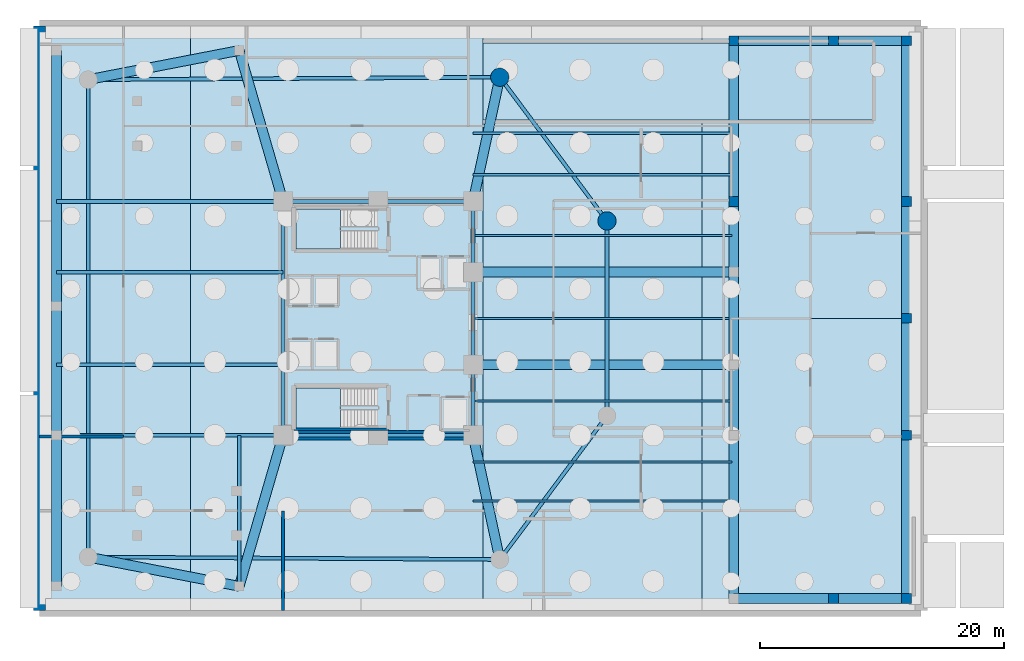
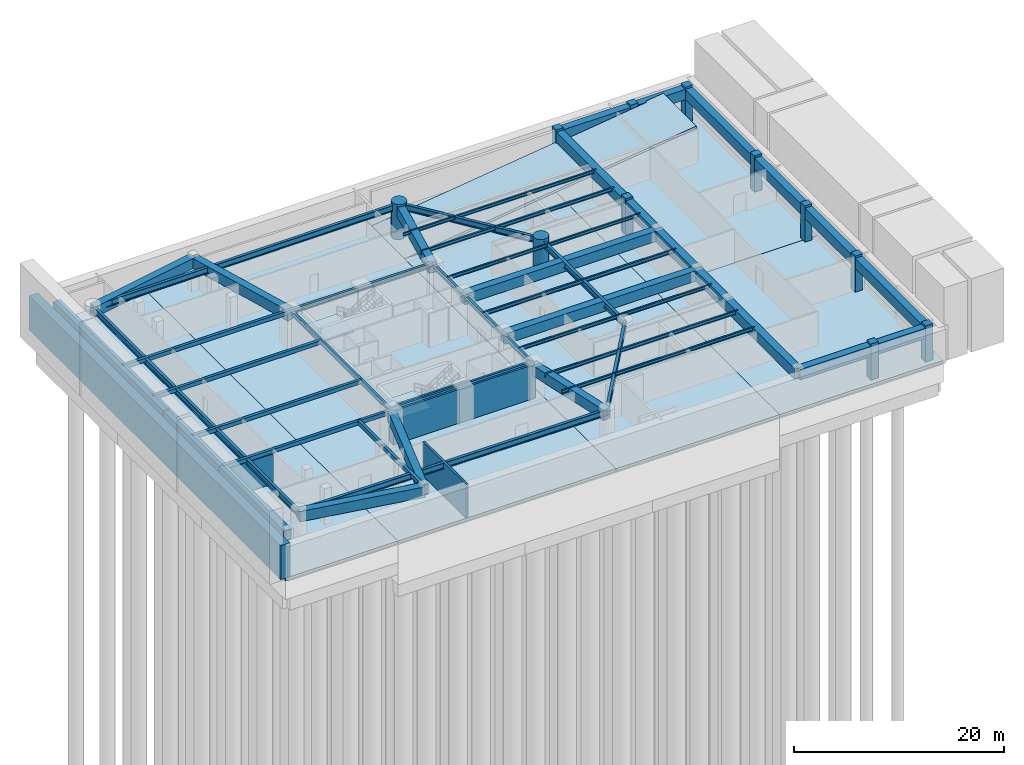
# One storey, part 2 of 8: 41 beams, 11 columns, 8 slabs, 5 walls, 2 elements without a shape of their own.
"""IFC4 building model written with IfcOpenShell, lengths in metres."""

from ifc_helpers import new_model, si_unit, direction, frame, frame_2d, origin, origin_2d, place, context, subcontext, project, spatial, polyline, rectangle, circle, i_section, outline, extrude, material, layer, layer_set, material_profile, profile_set, type_object, element, aggregate, save


model = new_model("IFC4")

# Units and contexts
model_context = context("Model", 3, precision=1e-05, world=origin(), true_north=direction((0.0, 1.0)))
body_context = subcontext(model_context, "Body", "Model", "MODEL_VIEW")
ifc_project = project(units=[si_unit("LENGTHUNIT", "METRE"), si_unit("AREAUNIT", "SQUARE_METRE"), si_unit("VOLUMEUNIT", "CUBIC_METRE"), si_unit("PLANEANGLEUNIT", "RADIAN"), si_unit("MASSUNIT", "GRAM", prefix="KILO")], contexts=[model_context])

# Site, building, storey
site_placement = place(None, origin())
site = spatial("IfcSite", under=ifc_project, at=site_placement, CompositionType="ELEMENT")
building_placement = place(site_placement, origin())
building = spatial("IfcBuilding", under=site, at=building_placement, Name="An Khanh Terracotta Commons", CompositionType="ELEMENT")
storey_placement = place(building_placement, frame((0.0, 0.0, -8.39990234375)))
storey = spatial("IfcBuildingStorey", under=building, at=storey_placement, Name="B02", CompositionType="ELEMENT", Elevation=-8.39990234375)

# Columns
ifc_material_1 = material(Name="Concrete C70/85", Category="concrete")
ifc_material_profile_1 = material_profile(ifc_material_1, circle(Radius=0.75, at=origin_2d()), Name="CFST1500")
ifc_profile_set_1 = profile_set([ifc_material_profile_1], Name="Concrete C70/85")
column_type_1 = type_object("IfcColumnType", Name="COL-CFST1500", PredefinedType="COLUMN", material=ifc_profile_set_1)
for number, where, z_axis, x_axis, name in (
    (1, (48.199951171875, 32.0, 0.0), (0.0, 0.0, 1.0), (1.0, 0.0, 0.0), "B02 Mega-Column MC-04"),
    (2, (39.39990234375, 43.800048828125, 0.0), (0.0, 0.0, 1.0), (1.0, 0.0, 0.0), "B02 Mega-Column MC-05"),
):
    element("IfcColumn", number, at=place(storey_placement, frame(where, z_axis=z_axis, x_axis=x_axis)), inside=storey, type_object=column_type_1, Name=name, PredefinedType="COLUMN", context=body_context, shape_type="SweptSolid", body=[
        extrude(circle(Radius=0.75, at=origin_2d()), origin(), (0.0, 0.0, 1.0), 4.199951171875),
    ])
ifc_material_2 = material(Name="Concrete C60/75", Category="concrete")
ifc_material_profile_2 = material_profile(ifc_material_2, rectangle(XDim=0.800048828125, YDim=0.800048828125, at=origin_2d()), Name="RC800x800")
ifc_profile_set_2 = profile_set([ifc_material_profile_2], Name="Concrete C60/75")
column_type_2 = type_object("IfcColumnType", Name="COL-RC800x800", PredefinedType="COLUMN", material=ifc_profile_set_2)
for number, where, z_axis, x_axis, name in (
    (3, (72.800048828125, 1.0, 0.0), (0.0, 0.0, 1.0), (1.0, 0.0, 0.0), "B02 Podium Column PC-04"),
    (4, (72.800048828125, 14.39990234375, 0.0), (0.0, 0.0, 1.0), (1.0, 0.0, 0.0), "B02 Podium Column PC-05"),
    (5, (72.800048828125, 24.0, 0.0), (0.0, 0.0, 1.0), (1.0, 0.0, 0.0), "B02 Podium Column PC-06"),
    (6, (72.800048828125, 33.60009765625, 0.0), (0.0, 0.0, 1.0), (1.0, 0.0, 0.0), "B02 Podium Column PC-07"),
    (7, (72.800048828125, 46.800048828125, 0.0), (0.0, 0.0, 1.0), (1.0, 0.0, 0.0), "B02 Podium Column PC-08"),
    (8, (58.60009765625, 46.800048828125, 0.0), (0.0, 0.0, 1.0), (1.0, 0.0, 0.0), "B02 Podium Column PC-09"),
    (9, (58.60009765625, 33.60009765625, 0.0), (0.0, 0.0, 1.0), (1.0, 0.0, 0.0), "B02 Podium Column PC-19"),
    (10, (66.800048828125, 1.0, 0.0), (0.0, 0.0, 1.0), (1.0, 0.0, 0.0), "B02 Podium Column PC-15"),
    (11, (66.800048828125, 46.800048828125, 0.0), (0.0, 0.0, 1.0), (1.0, 0.0, 0.0), "B02 Podium Column PC-16"),
):
    element("IfcColumn", number, at=place(storey_placement, frame(where, z_axis=z_axis, x_axis=x_axis)), inside=storey, type_object=column_type_2, Name=name, PredefinedType="COLUMN", context=body_context, shape_type="SweptSolid", body=[
        extrude(rectangle(XDim=0.800048828125, YDim=0.800048828125, at=origin_2d()), origin(), (0.0, 0.0, 1.0), 4.199951171875),
    ])

# Beams
ifc_material_3 = material(Name="Steel S355J2", Category="steel")
ifc_material_profile_3 = material_profile(ifc_material_3, i_section(OverallWidth=0.300048828125, OverallDepth=0.449951171875, WebThickness=0.013916015625, FlangeThickness=0.02587890625, FilletRadius=0.027099609375, at=origin_2d()), Name="HEB450")
ifc_profile_set_3 = profile_set([ifc_material_profile_3], Name="Steel S355J2")
beam_type_1 = type_object("IfcBeamType", Name="BM-HEB450", PredefinedType="BEAM", material=ifc_profile_set_3)
beam_1_placement = place(storey_placement, frame((37.199951171875, 14.39990234375, 3.724853515625), z_axis=(0.0, 1.0, 0.0), x_axis=(-1.0, 0.0, 0.0)))
element("IfcBeam", 12, at=beam_1_placement, inside=storey, type_object=beam_type_1, Name="B02 Core East Coupling Girder 1", PredefinedType="BEAM", context=body_context, shape_type="SweptSolid", body=[
    extrude(i_section(OverallWidth=0.300048828125, OverallDepth=0.449951171875, WebThickness=0.013916015625, FlangeThickness=0.02587890625, FilletRadius=0.027099609375, at=origin_2d()), origin(), (0.0, 0.0, 1.0), 5.800048828125),
])
beam_2_placement = place(storey_placement, frame((37.199951171875, 20.199951171875, 3.724853515625), z_axis=(0.0, 1.0, 0.0), x_axis=(-1.0, 0.0, 0.0)))
element("IfcBeam", 13, at=beam_2_placement, inside=storey, type_object=beam_type_1, Name="B02 Core East Coupling Girder 2", PredefinedType="BEAM", context=body_context, shape_type="SweptSolid", body=[
    extrude(i_section(OverallWidth=0.300048828125, OverallDepth=0.449951171875, WebThickness=0.013916015625, FlangeThickness=0.02587890625, FilletRadius=0.027099609375, at=origin_2d()), origin(), (0.0, 0.0, 1.0), 7.60009765625),
])
beam_3_placement = place(storey_placement, frame((37.199951171875, 27.800048828125, 3.724853515625), z_axis=(0.0, 1.0, 0.0), x_axis=(-1.0, 0.0, 0.0)))
element("IfcBeam", 14, at=beam_3_placement, inside=storey, type_object=beam_type_1, Name="B02 Core East Coupling Girder 3", PredefinedType="BEAM", context=body_context, shape_type="SweptSolid", body=[
    extrude(i_section(OverallWidth=0.300048828125, OverallDepth=0.449951171875, WebThickness=0.013916015625, FlangeThickness=0.02587890625, FilletRadius=0.027099609375, at=origin_2d()), origin(), (0.0, 0.0, 1.0), 5.800048828125),
])
beam_4_placement = place(storey_placement, frame((21.60009765625, 14.39990234375, 3.724853515625), z_axis=(0.0, 1.0, 0.0), x_axis=(-1.0, 0.0, 0.0)))
element("IfcBeam", 15, at=beam_4_placement, inside=storey, type_object=beam_type_1, Name="B02 Core West Coupling Girder", PredefinedType="BEAM", context=body_context, shape_type="SweptSolid", body=[
    extrude(i_section(OverallWidth=0.300048828125, OverallDepth=0.449951171875, WebThickness=0.013916015625, FlangeThickness=0.02587890625, FilletRadius=0.027099609375, at=origin_2d()), origin(), (0.0, 0.0, 1.0), 19.2001953125),
])
ifc_material_profile_4 = material_profile(ifc_material_3, i_section(OverallWidth=0.300048828125, OverallDepth=0.5, WebThickness=0.014404296875, FlangeThickness=0.028076171875, FilletRadius=0.027099609375, at=origin_2d()), Name="HEB500")
ifc_profile_set_4 = profile_set([ifc_material_profile_4], Name="Steel S355J2")
beam_type_2 = type_object("IfcBeamType", Name="BM-HEB500", PredefinedType="BEAM", material=ifc_profile_set_4)
for number, where, z_axis, x_axis, name in (
    (16, (21.60009765625, 14.39990234375, 3.699951171875), (1.0, 0.0, 0.0), (0.0, 1.0, 0.0), "B02 Core South Coupling Girder"),
    (17, (21.60009765625, 33.60009765625, 3.699951171875), (1.0, 0.0, 0.0), (0.0, 1.0, 0.0), "B02 Core North Coupling Girder"),
):
    element("IfcBeam", number, at=place(storey_placement, frame(where, z_axis=z_axis, x_axis=x_axis)), inside=storey, type_object=beam_type_2, Name=name, PredefinedType="BEAM", context=body_context, shape_type="SweptSolid", body=[
        extrude(i_section(OverallWidth=0.300048828125, OverallDepth=0.5, WebThickness=0.014404296875, FlangeThickness=0.028076171875, FilletRadius=0.027099609375, at=origin_2d()), origin(), (0.0, 0.0, 1.0), 15.599853515625),
    ])
ifc_material_profile_5 = material_profile(ifc_material_3, i_section(OverallWidth=0.300048828125, OverallDepth=0.699951171875, WebThickness=0.01708984375, FlangeThickness=0.031982421875, FilletRadius=0.027099609375, at=origin_2d()), Name="HEB700")
ifc_profile_set_5 = profile_set([ifc_material_profile_5], Name="Steel S355J2")
beam_type_3 = type_object("IfcBeamType", Name="BM-HEB700", PredefinedType="BEAM", material=ifc_profile_set_5)
beam_5_placement = place(storey_placement, frame((5.60009765625, 4.39990234375, 3.599853515625), z_axis=(0.999982502414, -0.005915645817, 0.0), x_axis=(0.005915645817, 0.999982502414, 0.0)))
element("IfcBeam", 18, at=beam_5_placement, inside=storey, type_object=beam_type_3, Name="B02 Podium Mega-Ring Girder 1", PredefinedType="BEAM", context=body_context, shape_type="SweptSolid", body=[
    extrude(i_section(OverallWidth=0.300048828125, OverallDepth=0.699951171875, WebThickness=0.01708984375, FlangeThickness=0.031982421875, FilletRadius=0.027099609375, at=origin_2d()), origin(), (0.0, 0.0, 1.0), 33.80029296875),
])
beam_6_placement = place(storey_placement, frame((39.39990234375, 4.199951171875, 3.599853515625), z_axis=(0.59782442166, 0.801627070942, 0.0), x_axis=(-0.801627070942, 0.59782442166, 0.0)))
element("IfcBeam", 19, at=beam_6_placement, inside=storey, type_object=beam_type_3, Name="B02 Podium Mega-Ring Girder 2", PredefinedType="BEAM", context=body_context, shape_type="SweptSolid", body=[
    extrude(i_section(OverallWidth=0.300048828125, OverallDepth=0.699951171875, WebThickness=0.01708984375, FlangeThickness=0.031982421875, FilletRadius=0.027099609375, at=origin_2d()), origin(), (0.0, 0.0, 1.0), 14.72021484375),
])
beam_7_placement = place(storey_placement, frame((48.199951171875, 16.0, 3.599853515625), z_axis=(0.0, 1.0, 0.0), x_axis=(-1.0, 0.0, 0.0)))
element("IfcBeam", 20, at=beam_7_placement, inside=storey, type_object=beam_type_3, Name="B02 Podium Mega-Ring Girder 3", PredefinedType="BEAM", context=body_context, shape_type="SweptSolid", body=[
    extrude(i_section(OverallWidth=0.300048828125, OverallDepth=0.699951171875, WebThickness=0.01708984375, FlangeThickness=0.031982421875, FilletRadius=0.027099609375, at=origin_2d()), origin(), (0.0, 0.0, 1.0), 16.0),
])
beam_8_placement = place(storey_placement, frame((48.199951171875, 32.0, 3.599853515625), z_axis=(-0.59782442166, 0.801627070942, 0.0), x_axis=(-0.801627070942, -0.59782442166, 0.0)))
element("IfcBeam", 21, at=beam_8_placement, inside=storey, type_object=beam_type_3, Name="B02 Podium Mega-Ring Girder 4", PredefinedType="BEAM", context=body_context, shape_type="SweptSolid", body=[
    extrude(i_section(OverallWidth=0.300048828125, OverallDepth=0.699951171875, WebThickness=0.01708984375, FlangeThickness=0.031982421875, FilletRadius=0.027099609375, at=origin_2d()), origin(), (0.0, 0.0, 1.0), 14.72021484375),
])
beam_9_placement = place(storey_placement, frame((39.39990234375, 43.800048828125, 3.599853515625), z_axis=(-0.999982502414, -0.005915645817, 0.0), x_axis=(0.005915645817, -0.999982502414, 0.0)))
element("IfcBeam", 22, at=beam_9_placement, inside=storey, type_object=beam_type_3, Name="B02 Podium Mega-Ring Girder 5", PredefinedType="BEAM", context=body_context, shape_type="SweptSolid", body=[
    extrude(i_section(OverallWidth=0.300048828125, OverallDepth=0.699951171875, WebThickness=0.01708984375, FlangeThickness=0.031982421875, FilletRadius=0.027099609375, at=origin_2d()), origin(), (0.0, 0.0, 1.0), 33.80029296875),
])
beam_10_placement = place(storey_placement, frame((5.60009765625, 43.60009765625, 3.599853515625), z_axis=(0.0, -1.0, 0.0), x_axis=(1.0, 0.0, 0.0)))
element("IfcBeam", 23, at=beam_10_placement, inside=storey, type_object=beam_type_3, Name="B02 Podium Mega-Ring Girder 6", PredefinedType="BEAM", context=body_context, shape_type="SweptSolid", body=[
    extrude(i_section(OverallWidth=0.300048828125, OverallDepth=0.699951171875, WebThickness=0.01708984375, FlangeThickness=0.031982421875, FilletRadius=0.027099609375, at=origin_2d()), origin(), (0.0, 0.0, 1.0), 39.2001953125),
])
ifc_material_profile_6 = material_profile(ifc_material_3, i_section(OverallWidth=0.169921875, OverallDepth=0.360107421875, WebThickness=0.008056640625, FlangeThickness=0.0126953125, FilletRadius=0.01806640625, at=origin_2d()), Name="IPE360")
ifc_profile_set_6 = profile_set([ifc_material_profile_6], Name="Steel S355J2")
beam_type_4 = type_object("IfcBeamType", Name="BM-IPE360", PredefinedType="JOIST", material=ifc_profile_set_6)
for number, where, z_axis, x_axis, name in (
    (24, (37.199951171875, 9.0, 3.77001953125), (1.0, 0.0, 0.0), (0.0, 1.0, 0.0), "B02 East Composite Floor Joist 2"),
    (25, (37.199951171875, 17.199951171875, 3.77001953125), (1.0, 0.0, 0.0), (0.0, 1.0, 0.0), "B02 East Composite Floor Joist 4"),
    (26, (37.199951171875, 30.800048828125, 3.77001953125), (1.0, 0.0, 0.0), (0.0, 1.0, 0.0), "B02 East Composite Floor Joist 6"),
    (27, (37.199951171875, 39.199951171875, 3.77001953125), (1.0, 0.0, 0.0), (0.0, 1.0, 0.0), "B02 East Composite Floor Joist 8"),
):
    element("IfcBeam", number, at=place(storey_placement, frame(where, z_axis=z_axis, x_axis=x_axis)), inside=storey, type_object=beam_type_4, Name=name, PredefinedType="JOIST", context=body_context, shape_type="SweptSolid", body=[
        extrude(i_section(OverallWidth=0.169921875, OverallDepth=0.360107421875, WebThickness=0.008056640625, FlangeThickness=0.0126953125, FilletRadius=0.01806640625, at=origin_2d()), origin(), (0.0, 0.0, 1.0), 21.25),
    ])
ifc_material_profile_7 = material_profile(ifc_material_3, i_section(OverallWidth=0.179931640625, OverallDepth=0.39990234375, WebThickness=0.008544921875, FlangeThickness=0.013427734375, FilletRadius=0.02099609375, at=origin_2d()), Name="IPE400")
ifc_profile_set_7 = profile_set([ifc_material_profile_7], Name="Steel S355J2")
beam_type_5 = type_object("IfcBeamType", Name="BM-IPE400", PredefinedType="JOIST", material=ifc_profile_set_7)
for number, where, z_axis, x_axis, name in (
    (28, (37.199951171875, 12.199951171875, 3.75), (1.0, 0.0, 0.0), (0.0, 1.0, 0.0), "B02 East Composite Floor Joist 3"),
    (29, (37.199951171875, 24.0, 3.75), (1.0, 0.0, 0.0), (0.0, 1.0, 0.0), "B02 East Composite Floor Joist 5"),
    (30, (37.199951171875, 35.800048828125, 3.75), (1.0, 0.0, 0.0), (0.0, 1.0, 0.0), "B02 East Composite Floor Joist 7"),
):
    element("IfcBeam", number, at=place(storey_placement, frame(where, z_axis=z_axis, x_axis=x_axis)), inside=storey, type_object=beam_type_5, Name=name, PredefinedType="JOIST", context=body_context, shape_type="SweptSolid", body=[
        extrude(i_section(OverallWidth=0.179931640625, OverallDepth=0.39990234375, WebThickness=0.008544921875, FlangeThickness=0.013427734375, FilletRadius=0.02099609375, at=origin_2d()), origin(), (0.0, 0.0, 1.0), 21.25),
    ])
ifc_material_4 = material(Name="Concrete C40/50", Category="concrete")
ifc_material_profile_8 = material_profile(ifc_material_4, rectangle(XDim=0.300048828125, YDim=0.449951171875, at=origin_2d()), Name="LNT300x450")
ifc_profile_set_8 = profile_set([ifc_material_profile_8], Name="Concrete C40/50")
beam_type_6 = type_object("IfcBeamType", Name="BM-LNT300x450", PredefinedType="LINTEL", material=ifc_profile_set_8)
for number, where, z_axis, x_axis, name in (
    (31, (3.0, 14.39990234375, 3.724853515625), (1.0, 0.0, 0.0), (0.0, 1.0, 0.0), "B02 West Basement Concrete Tie Lintel 1"),
    (32, (3.0, 20.199951171875, 3.724853515625), (1.0, 0.0, 0.0), (0.0, 1.0, 0.0), "B02 West Basement Concrete Tie Lintel 2"),
    (33, (3.0, 27.800048828125, 3.724853515625), (1.0, 0.0, 0.0), (0.0, 1.0, 0.0), "B02 West Basement Concrete Tie Lintel 3"),
    (34, (3.0, 33.60009765625, 3.724853515625), (1.0, 0.0, 0.0), (0.0, 1.0, 0.0), "B02 West Basement Concrete Tie Lintel 4"),
):
    element("IfcBeam", number, at=place(storey_placement, frame(where, z_axis=z_axis, x_axis=x_axis)), inside=storey, type_object=beam_type_6, Name=name, PredefinedType="LINTEL", context=body_context, shape_type="SweptSolid", body=[
        extrude(rectangle(XDim=0.300048828125, YDim=0.449951171875, at=origin_2d()), origin(), (0.0, 0.0, 1.0), 18.60009765625),
    ])
beam_11_placement = place(storey_placement, frame((18.0, 2.0, 3.724853515625), z_axis=(0.0, 1.0, 0.0), x_axis=(-1.0, 0.0, 0.0)))
element("IfcBeam", 35, at=beam_11_placement, inside=storey, type_object=beam_type_6, Name="B02 South Basement Concrete Tie Lintel 5", PredefinedType="LINTEL", context=body_context, shape_type="SweptSolid", body=[
    extrude(rectangle(XDim=0.300048828125, YDim=0.449951171875, at=origin_2d()), origin(), (0.0, 0.0, 1.0), 12.39990234375),
])
ifc_material_5 = material(Name="Concrete C50/60", Category="concrete")
ifc_material_profile_9 = material_profile(ifc_material_5, rectangle(XDim=0.800048828125, YDim=1.199951171875, at=origin_2d()), Name="RCB800x1200")
ifc_profile_set_9 = profile_set([ifc_material_profile_9], Name="Concrete C50/60")
beam_type_7 = type_object("IfcBeamType", Name="BM-RCB800x1200", PredefinedType="BEAM", material=ifc_profile_set_9)
beam_12_placement = place(storey_placement, frame((3.0, 2.0, 3.349853515625), z_axis=(0.0, 1.0, 0.0), x_axis=(-1.0, 0.0, 0.0)))
element("IfcBeam", 36, at=beam_12_placement, inside=storey, type_object=beam_type_7, Name="B02 Primary Podium Girder 1", PredefinedType="BEAM", context=body_context, shape_type="SweptSolid", body=[
    extrude(rectangle(XDim=0.800048828125, YDim=1.199951171875, at=origin_2d()), origin(), (0.0, 0.0, 1.0), 12.39990234375),
])
beam_13_placement = place(storey_placement, frame((3.0, 14.39990234375, 3.349853515625), z_axis=(0.0, 1.0, 0.0), x_axis=(-1.0, 0.0, 0.0)))
element("IfcBeam", 37, at=beam_13_placement, inside=storey, type_object=beam_type_7, Name="B02 Primary Podium Girder 2", PredefinedType="BEAM", context=body_context, shape_type="SweptSolid", body=[
    extrude(rectangle(XDim=0.800048828125, YDim=1.199951171875, at=origin_2d()), origin(), (0.0, 0.0, 1.0), 10.60009765625),
])
beam_14_placement = place(storey_placement, frame((3.0, 25.0, 3.349853515625), z_axis=(0.0, 1.0, 0.0), x_axis=(-1.0, 0.0, 0.0)))
element("IfcBeam", 38, at=beam_14_placement, inside=storey, type_object=beam_type_7, Name="B02 Primary Podium Girder 3", PredefinedType="BEAM", context=body_context, shape_type="SweptSolid", body=[
    extrude(rectangle(XDim=0.800048828125, YDim=1.199951171875, at=origin_2d()), origin(), (0.0, 0.0, 1.0), 21.0),
])
beam_15_placement = place(storey_placement, frame((5.60009765625, 4.39990234375, 3.349853515625), z_axis=(0.981781013874, -0.190015896168, 0.0), x_axis=(0.190015896168, 0.981781013874, 0.0)))
element("IfcBeam", 39, at=beam_15_placement, inside=storey, type_object=beam_type_7, Name="B02 Primary Podium Girder 4", PredefinedType="BEAM", context=body_context, shape_type="SweptSolid", body=[
    extrude(rectangle(XDim=0.800048828125, YDim=1.199951171875, at=origin_2d()), origin(), (0.0, 0.0, 1.0), 12.630126953125),
])
beam_16_placement = place(storey_placement, frame((18.0, 2.0, 3.349853515625), z_axis=(0.278819195264, 0.960343613689, 0.0), x_axis=(-0.960343613689, 0.278819195264, 0.0)))
element("IfcBeam", 40, at=beam_16_placement, inside=storey, type_object=beam_type_7, Name="B02 Primary Podium Girder 5", PredefinedType="BEAM", context=body_context, shape_type="SweptSolid", body=[
    extrude(rectangle(XDim=0.800048828125, YDim=1.199951171875, at=origin_2d()), origin(), (0.0, 0.0, 1.0), 12.911865234375),
])
for number, where, z_axis, x_axis, name in (
    (41, (39.39990234375, 4.199951171875, 3.349853515625), (-0.210834365214, 0.977521800496, 0.0), (-0.977521800496, -0.210834365214, 0.0), "B02 Primary Podium Girder 6"),
    (42, (39.39990234375, 43.800048828125, 3.349853515625), (-0.210834365214, -0.977521800496, 0.0), (0.977521800496, -0.210834365214, 0.0), "B02 Primary Podium Girder 7"),
):
    element("IfcBeam", number, at=place(storey_placement, frame(where, z_axis=z_axis, x_axis=x_axis)), inside=storey, type_object=beam_type_7, Name=name, PredefinedType="BEAM", context=body_context, shape_type="SweptSolid", body=[
        extrude(rectangle(XDim=0.800048828125, YDim=1.199951171875, at=origin_2d()), origin(), (0.0, 0.0, 1.0), 10.4345703125),
    ])
beam_17_placement = place(storey_placement, frame((5.60009765625, 43.60009765625, 3.349853515625), z_axis=(0.981781013874, 0.190015896168, 0.0), x_axis=(-0.190015896168, 0.981781013874, 0.0)))
element("IfcBeam", 43, at=beam_17_placement, inside=storey, type_object=beam_type_7, Name="B02 Primary Podium Girder 8", PredefinedType="BEAM", context=body_context, shape_type="SweptSolid", body=[
    extrude(rectangle(XDim=0.800048828125, YDim=1.199951171875, at=origin_2d()), origin(), (0.0, 0.0, 1.0), 12.630126953125),
])
beam_18_placement = place(storey_placement, frame((18.0, 46.0, 3.349853515625), z_axis=(0.278819195264, -0.960343613689, 0.0), x_axis=(0.960343613689, 0.278819195264, 0.0)))
element("IfcBeam", 44, at=beam_18_placement, inside=storey, type_object=beam_type_7, Name="B02 Primary Podium Girder 9", PredefinedType="BEAM", context=body_context, shape_type="SweptSolid", body=[
    extrude(rectangle(XDim=0.800048828125, YDim=1.199951171875, at=origin_2d()), origin(), (0.0, 0.0, 1.0), 12.911865234375),
])
beam_19_placement = place(storey_placement, frame((58.60009765625, 20.199951171875, 3.349853515625), z_axis=(0.0, 1.0, 0.0), x_axis=(-1.0, 0.0, 0.0)))
element("IfcBeam", 45, at=beam_19_placement, inside=storey, type_object=beam_type_7, Name="B02 Primary Podium Girder 10", PredefinedType="BEAM", context=body_context, shape_type="SweptSolid", body=[
    extrude(rectangle(XDim=0.800048828125, YDim=1.199951171875, at=origin_2d()), origin(), (0.0, 0.0, 1.0), 7.60009765625),
])
beam_20_placement = place(storey_placement, frame((58.60009765625, 1.0, 3.349853515625), z_axis=(0.0, 1.0, 0.0), x_axis=(-1.0, 0.0, 0.0)))
element("IfcBeam", 46, at=beam_20_placement, inside=storey, type_object=beam_type_7, Name="B02 Primary Podium Girder 11", PredefinedType="BEAM", context=body_context, shape_type="SweptSolid", body=[
    extrude(rectangle(XDim=0.800048828125, YDim=1.199951171875, at=origin_2d()), origin(), (0.0, 0.0, 1.0), 19.199951171875),
])
beam_21_placement = place(storey_placement, frame((58.60009765625, 27.800048828125, 3.349853515625), z_axis=(0.0, 1.0, 0.0), x_axis=(-1.0, 0.0, 0.0)))
element("IfcBeam", 47, at=beam_21_placement, inside=storey, type_object=beam_type_7, Name="B02 Primary Podium Girder 12", PredefinedType="BEAM", context=body_context, shape_type="SweptSolid", body=[
    extrude(rectangle(XDim=0.800048828125, YDim=1.199951171875, at=origin_2d()), origin(), (0.0, 0.0, 1.0), 19.0),
])
for number, where, z_axis, x_axis, name in (
    (48, (58.60009765625, 1.0, 3.349853515625), (1.0, 0.0, 0.0), (0.0, 1.0, 0.0), "B02 Primary Podium Girder 13"),
    (49, (58.60009765625, 46.800048828125, 3.349853515625), (1.0, 0.0, 0.0), (0.0, 1.0, 0.0), "B02 Primary Podium Girder 14"),
):
    element("IfcBeam", number, at=place(storey_placement, frame(where, z_axis=z_axis, x_axis=x_axis)), inside=storey, type_object=beam_type_7, Name=name, PredefinedType="BEAM", context=body_context, shape_type="SweptSolid", body=[
        extrude(rectangle(XDim=0.800048828125, YDim=1.199951171875, at=origin_2d()), origin(), (0.0, 0.0, 1.0), 14.199951171875),
    ])
beam_22_placement = place(storey_placement, frame((72.800048828125, 1.0, 3.349853515625), z_axis=(0.0, 1.0, 0.0), x_axis=(-1.0, 0.0, 0.0)))
element("IfcBeam", 50, at=beam_22_placement, inside=storey, type_object=beam_type_7, Name="B02 Primary Podium Girder 15", PredefinedType="BEAM", context=body_context, shape_type="SweptSolid", body=[
    extrude(rectangle(XDim=0.800048828125, YDim=1.199951171875, at=origin_2d()), origin(), (0.0, 0.0, 1.0), 45.800048828125),
])
for number, where, z_axis, x_axis, name in (
    (51, (37.199951171875, 20.199951171875, 3.349853515625), (1.0, 0.0, 0.0), (0.0, 1.0, 0.0), "B02 Primary Podium Girder 16"),
    (52, (37.199951171875, 27.800048828125, 3.349853515625), (1.0, 0.0, 0.0), (0.0, 1.0, 0.0), "B02 Primary Podium Girder 17"),
):
    element("IfcBeam", number, at=place(storey_placement, frame(where, z_axis=z_axis, x_axis=x_axis)), inside=storey, type_object=beam_type_7, Name=name, PredefinedType="BEAM", context=body_context, shape_type="SweptSolid", body=[
        extrude(rectangle(XDim=0.800048828125, YDim=1.199951171875, at=origin_2d()), origin(), (0.0, 0.0, 1.0), 21.400146484375),
    ])

# Slabs
ifc_layer_1 = layer(ifc_material_5, 0.300048828125, Name="Concrete C50/60")
ifc_layer_set_1 = layer_set([ifc_layer_1], Name="Concrete C50/60")
slab_type_1 = type_object("IfcSlabType", Name="SLAB-BASE-300", PredefinedType="BASESLAB", material=ifc_layer_set_1)
slab_1_placement = place(storey_placement, frame((0.0, 0.0, -0.300048828125)))
element("IfcSlab", 53, at=slab_1_placement, inside=storey, type_object=slab_type_1, Name="B02 West Base Slab", PredefinedType="BASESLAB", context=body_context, shape_type="SweptSolid", body=[
    extrude(outline(polyline([(1.60009765625, 0.0), (14.0, 0.0), (14.0, 48.0), (1.60009765625, 48.0), (1.60009765625, 0.0)])), origin(), (0.0, 0.0, 1.0), 0.300048828125),
])
slab_2_placement = place(storey_placement, frame((0.0, 0.0, -0.300048828125)))
element("IfcSlab", 54, at=slab_2_placement, inside=storey, type_object=slab_type_1, Name="B02 Core Base Slab", PredefinedType="BASESLAB", context=body_context, shape_type="SweptSolid", body=[
    extrude(outline(polyline([(14.0, 0.0), (38.0, 0.0), (38.0, 48.0), (14.0, 48.0), (14.0, 0.0)])), origin(), (0.0, 0.0, 1.0), 0.300048828125),
])
slab_3_placement = place(storey_placement, frame((0.0, 0.0, -0.300048828125)))
element("IfcSlab", 55, at=slab_3_placement, inside=storey, type_object=slab_type_1, Name="B02 Central Base Slab", PredefinedType="BASESLAB", context=body_context, shape_type="SweptSolid", body=[
    extrude(outline(polyline([(38.0, 0.0), (56.0, 0.0), (56.0, 48.0), (38.0, 48.0), (38.0, 0.0)])), origin(), (0.0, 0.0, 1.0), 0.300048828125),
])
slab_4_placement = place(storey_placement, frame((0.0, 0.0, -0.300048828125)))
element("IfcSlab", 56, at=slab_4_placement, inside=storey, type_object=slab_type_1, Name="B02 South-East Base Slab", PredefinedType="BASESLAB", context=body_context, shape_type="SweptSolid", body=[
    extrude(outline(polyline([(56.0, 0.0), (74.0, 0.0), (74.0, 24.0), (56.0, 24.0), (56.0, 0.0)])), origin(), (0.0, 0.0, 1.0), 0.300048828125),
])
slab_5_placement = place(storey_placement, frame((0.0, 0.0, -0.300048828125)))
element("IfcSlab", 57, at=slab_5_placement, inside=storey, type_object=slab_type_1, Name="B02 North-East Base Slab", PredefinedType="BASESLAB", context=body_context, shape_type="SweptSolid", body=[
    extrude(outline(polyline([(56.0, 24.0), (74.0, 24.0), (74.0, 48.0), (56.0, 48.0), (56.0, 24.0)])), origin(), (0.0, 0.0, 1.0), 0.300048828125),
])

# Stair, slab
ifc_material_6 = material(Name="Precast concrete C40/50", Category="concrete")
stair_type = type_object("IfcStairType", Name="STAIR-CORE-1550", PredefinedType="HALF_TURN_STAIR", material=ifc_material_6)
stair_1_placement = place(storey_placement, origin())
stair_1 = element("IfcStair", 58, at=stair_1_placement, inside=storey, type_object=stair_type, Name="B02 Core Smokeproof Exit Stair ST-01", PredefinedType="HALF_TURN_STAIR")
ifc_layer_2 = layer(ifc_material_4, 0.18994140625, Name="Concrete C40/50")
ifc_layer_set_2 = layer_set([ifc_layer_2], Name="Concrete C40/50")
slab_type_2 = type_object("IfcSlabType", Name="SLAB-LANDING-190", PredefinedType="LANDING", material=ifc_layer_set_2)
slab_6_placement = place(storey_placement, frame((0.0, 0.0, 1.89990234375)))
slab_6 = element("IfcSlab", 59, at=slab_6_placement, type_object=slab_type_2, Name="ST-01 landing 1", PredefinedType="LANDING", context=body_context, shape_type="SweptSolid", body=[
    extrude(outline(polyline([(26.330078125, 33.0), (22.64990234375, 33.0), (22.64990234375, 29.699951171875), (26.330078125, 29.699951171875), (26.330078125, 33.0)])), origin(), (0.0, 0.0, 1.0), 0.199951171875),
])
aggregate(stair_1, [slab_6])

stair_2_placement = place(storey_placement, origin())
stair_2 = element("IfcStair", 60, at=stair_2_placement, inside=storey, type_object=stair_type, Name="B02 Core Smokeproof Exit Stair ST-02", PredefinedType="HALF_TURN_STAIR")
slab_7_placement = place(storey_placement, frame((0.0, 0.0, 1.89990234375)))
slab_7 = element("IfcSlab", 61, at=slab_7_placement, type_object=slab_type_2, Name="ST-02 landing 1", PredefinedType="LANDING", context=body_context, shape_type="SweptSolid", body=[
    extrude(outline(polyline([(26.330078125, 18.300048828125), (22.64990234375, 18.300048828125), (22.64990234375, 15.0), (26.330078125, 15.0), (26.330078125, 18.300048828125)])), origin(), (0.0, 0.0, 1.0), 0.199951171875),
])
aggregate(stair_2, [slab_7])

# Slab
ifc_layer_3 = layer(ifc_material_4, 0.280029296875, Name="Concrete C40/50")
ifc_layer_set_3 = layer_set([ifc_layer_3], Name="Concrete C40/50")
slab_type_3 = type_object("IfcSlabType", Name="SLAB-RAMP-280", PredefinedType="FLOOR", material=ifc_layer_set_3)
slab_8_placement = place(storey_placement, frame((38.0, 43.449951171875, 0.0), z_axis=(0.0, 0.0, 1.0), x_axis=(1.0, 0.0, 0.0)))
element("IfcSlab", 62, at=slab_8_placement, inside=storey, type_object=slab_type_3, Name="Car Park Inter-Basement Vehicle Ramp R-B2 Sloped Slab", PredefinedType="FLOOR", context=body_context, shape_type="SweptSolid", body=[
    extrude(outline(polyline([(0.0, 0.0), (32.10009765625, 4.199951171875), (32.10009765625, 3.919921875), (0.0, -0.280029296875), (0.0, 0.0)])), frame((0.0, 3.14990234375, 0.0), z_axis=(0.0, -1.0, 0.0), x_axis=(1.0, 0.0, 0.0)), (0.0, 0.0, 1.0), 6.300048828125),
])

# Walls
ifc_layer_4 = layer(ifc_material_1, 0.75, Name="Concrete C70/85")
ifc_layer_set_4 = layer_set([ifc_layer_4], Name="Concrete C70/85")
wall_type_1 = type_object("IfcWallType", Name="WALL-CORE-750", PredefinedType="SHEAR", material=ifc_layer_set_4)
wall_1_placement = place(storey_placement, frame((37.199951171875, 14.39990234375, 0.0), z_axis=(0.0, 0.0, 1.0), x_axis=(-1.0, 0.0, 0.0)))
element("IfcWall", 63, at=wall_1_placement, inside=storey, type_object=wall_type_1, Name="B02 Core Wall CWALL-B02-S", PredefinedType="SHEAR", context=body_context, shape_type="SweptSolid", body=[
    extrude(rectangle(XDim=15.599853515625, YDim=0.75, at=frame_2d((7.7998046875, 0.0))), origin(), (0.0, 0.0, 1.0), 3.949951171875),
])
ifc_layer_5 = layer(ifc_material_5, 1.0, Name="Concrete C50/60")
ifc_layer_set_5 = layer_set([ifc_layer_5], Name="Concrete C50/60")
wall_type_2 = type_object("IfcWallType", Name="WALL-DIAPH-1000", PredefinedType="SOLIDWALL", material=ifc_layer_set_5)
wall_2_placement = place(storey_placement, frame((1.60009765625, 48.0, 0.0), z_axis=(0.0, 0.0, 1.0), x_axis=(0.0, -1.0, 0.0)))
element("IfcWall", 64, at=wall_2_placement, inside=storey, type_object=wall_type_2, Name="B02 Perimeter Diaphragm Wall 4", PredefinedType="SOLIDWALL", context=body_context, shape_type="SweptSolid", body=[
    extrude(rectangle(XDim=48.0, YDim=1.0, at=frame_2d((24.0, 0.0))), origin(), (0.0, 0.0, 1.0), 3.949951171875),
])
ifc_material_7 = material(Name="Acoustic Double-Stud Gypsum and Mineral Wool")
ifc_layer_6 = layer(ifc_material_7, 0.219970703125, Name="Acoustic Double-Stud Gypsum and Mineral Wool")
ifc_layer_set_6 = layer_set([ifc_layer_6], Name="Acoustic Double-Stud Gypsum and Mineral Wool")
wall_type_3 = type_object("IfcWallType", Name="WALL-PARTY-220", PredefinedType="PARTITIONING", material=ifc_layer_set_6)
wall_3_placement = place(storey_placement, frame((22.47998046875, 14.889892578125, 0.0), z_axis=(0.0, 0.0, 1.0), x_axis=(1.0, 0.0, 0.0)))
element("IfcWall", 65, at=wall_3_placement, inside=storey, type_object=wall_type_3, Name="B02 Core Wall STW-B02-S-S", PredefinedType="PARTITIONING", context=body_context, shape_type="SweptSolid", body=[
    extrude(rectangle(XDim=7.7900390625, YDim=0.219970703125, at=frame_2d((3.89501953125, 0.0))), origin(), (0.0, 0.0, 1.0), 3.949951171875),
])
wall_4_placement = place(storey_placement, frame((1.60009765625, 14.300048828125, 0.0), z_axis=(0.0, 0.0, 1.0), x_axis=(1.0, 0.0, 0.0)))
element("IfcWall", 66, at=wall_4_placement, inside=storey, type_object=wall_type_3, Name="B02 Interior Partition IW-B02-E002", PredefinedType="PARTITIONING", context=body_context, shape_type="SweptSolid", body=[
    extrude(rectangle(XDim=6.89990234375, YDim=0.219970703125, at=frame_2d((3.449951171875, 0.0))), origin(), (0.0, 0.0, 1.0), 3.48193359375),
])
wall_5_placement = place(storey_placement, frame((21.60009765625, 0.0, 0.0), z_axis=(0.0, 0.0, 1.0), x_axis=(0.0, 1.0, 0.0)))
element("IfcWall", 67, at=wall_5_placement, inside=storey, type_object=wall_type_3, Name="B02 Interior Partition IW-B02-E015", PredefinedType="PARTITIONING", context=body_context, shape_type="SweptSolid", body=[
    extrude(rectangle(XDim=8.199951171875, YDim=0.219970703125, at=frame_2d((4.10009765625, 0.0))), origin(), (0.0, 0.0, 1.0), 3.949951171875),
])

save(model, "model.ifc")
